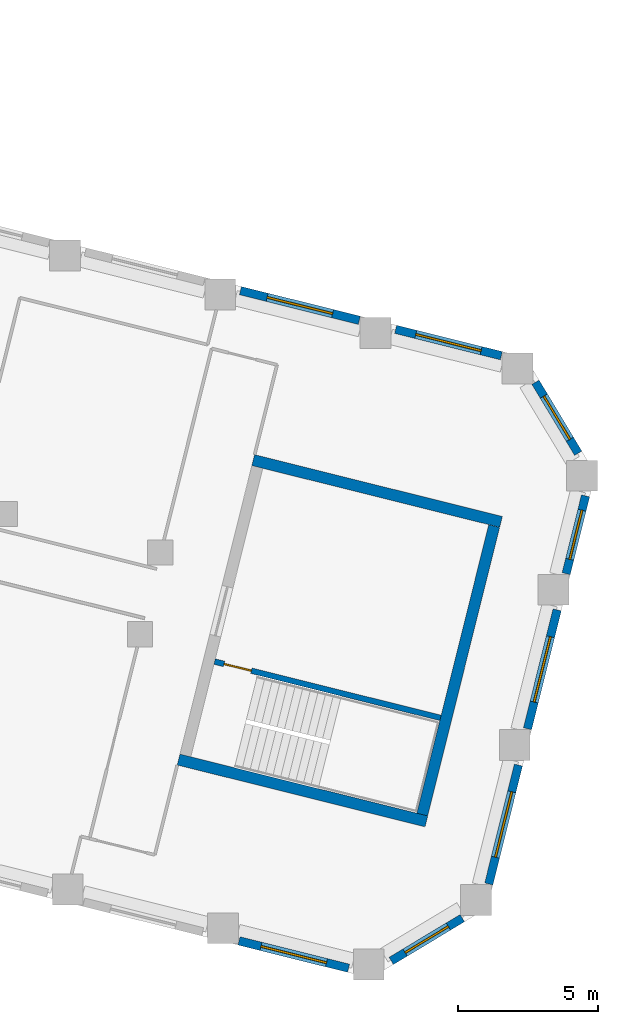
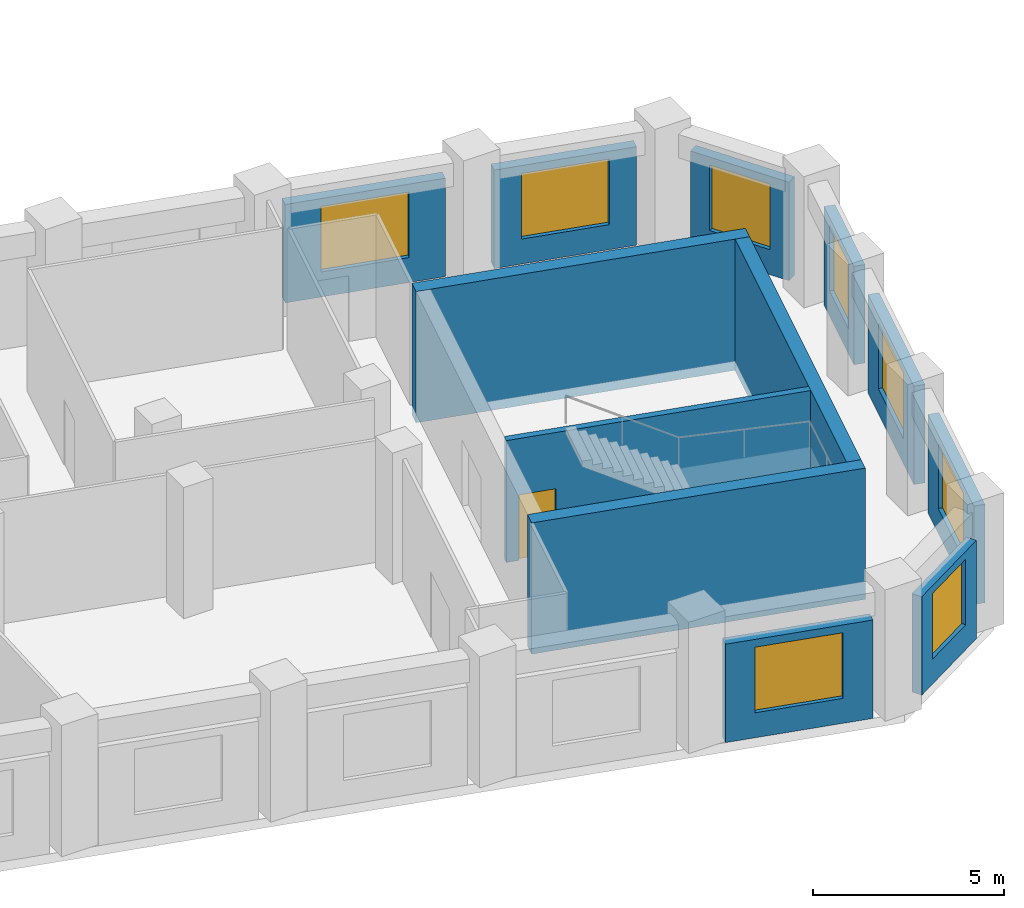
# One storey, part 7 of 10: 12 walls, 8 windows, 1 door, 9 openings.
"""IFC4 building model written with IfcOpenShell, lengths in metres."""

from ifc_helpers import new_model, si_unit, direction, frame, frame_2d, origin, place, context, subcontext, project, spatial, rectangle, extrude, material, layer, layer_set, type_object, element, fill, save


model = new_model("IFC4")

# Units and contexts
model_context = context("Model", 3, precision=1e-05, world=origin(), true_north=direction((0.0, 1.0)))
body_context = subcontext(model_context, "Body", "Model", "MODEL_VIEW")
ifc_project = project(units=[si_unit("LENGTHUNIT", "METRE"), si_unit("AREAUNIT", "SQUARE_METRE"), si_unit("VOLUMEUNIT", "CUBIC_METRE"), si_unit("PLANEANGLEUNIT", "RADIAN"), si_unit("MASSUNIT", "GRAM", prefix="KILO")], contexts=[model_context])

# Site, building, storey
site_placement = place(None, origin())
site = spatial("IfcSite", under=ifc_project, at=site_placement, CompositionType="ELEMENT")
building_placement = place(site_placement, origin())
building = spatial("IfcBuilding", under=site, at=building_placement, Name="Meshkara Civic Tower", CompositionType="ELEMENT")
storey_placement = place(building_placement, frame((0.0, 0.0, 250.800048828125)))
storey = spatial("IfcBuildingStorey", under=building, at=storey_placement, Name="L57", CompositionType="ELEMENT", Elevation=250.800048828125)

# Wall, opening, window
ifc_material_1 = material(Name="Insulated infill panel with bronze anodised aluminium cladding", Category="aluminium")
ifc_layer_1 = layer(ifc_material_1, 0.300048828125)
ifc_layer_set_1 = layer_set([ifc_layer_1], Name="EXTERNAL INFILL WALL 300")
wall_type_1 = type_object("IfcWallType", Name="EXTERNAL INFILL WALL 300", PredefinedType="SOLIDWALL", material=ifc_layer_set_1)
wall_1_placement = place(storey_placement, frame((71.02001953125, 5.635986328125, 0.0), z_axis=(0.0, 0.0, 1.0), x_axis=(-0.970297701374, 0.241913973777, 0.0)))
wall_1 = element("IfcWall", 1, at=wall_1_placement, inside=storey, type_object=wall_type_1, Name="External wall", PredefinedType="SOLIDWALL", context=body_context, shape_type="SweptSolid", body=[
    extrude(rectangle(XDim=3.88134765625, YDim=0.300048828125, at=frame_2d((1.940673828125, 0.0))), origin(), (0.0, 0.0, 1.0), 3.14990234375),
])
opening_1_placement = place(wall_1_placement, frame((0.740966796875, 0.0, 0.800048828125)))
opening_1 = element("IfcOpeningElement", 2, at=opening_1_placement, cuts=wall_1, Name="Opening W7", PredefinedType="OPENING", context=body_context, shape_type="SweptSolid", body=[
    extrude(rectangle(XDim=2.39990234375, YDim=2.10009765625, at=frame_2d((1.199951171875, 1.050048828125))), frame((0.0, 0.159912109375, 0.0), z_axis=(0.0, -1.0, 0.0), x_axis=(1.0, 0.0, 0.0)), (0.0, 0.0, 1.0), 0.320068359375),
])
ifc_material_2 = material(Name="Tinted double glazing", Category="glass")
window_type_1 = type_object("IfcWindowType", Name="WINDOW 2400x2100", PartitioningType="DOUBLE_PANEL_VERTICAL", PredefinedType="WINDOW", material=ifc_material_2)
window_1_placement = place(opening_1_placement, origin())
window_1 = element("IfcWindow", 3, at=window_1_placement, inside=storey, type_object=window_type_1, Name="Window", OverallHeight=2.10009765625, OverallWidth=2.39990234375, PartitioningType="DOUBLE_PANEL_VERTICAL", PredefinedType="WINDOW", context=body_context, shape_type="SweptSolid", body=[
    extrude(rectangle(XDim=2.39990234375, YDim=2.10009765625, at=frame_2d((1.199951171875, 1.050048828125))), frame((0.0, 0.030029296875, 0.0), z_axis=(0.0, -1.0, 0.0), x_axis=(1.0, 0.0, 0.0)), (0.0, 0.0, 1.0), 0.06005859375),
])
fill(opening_1, window_1)

wall_2_placement = place(storey_placement, frame((65.9599609375, 6.89794921875, 0.0), z_axis=(0.0, 0.0, 1.0), x_axis=(-0.970309996763, 0.241864652607, 0.0)))
wall_2 = element("IfcWall", 4, at=wall_2_placement, inside=storey, type_object=wall_type_1, Name="External wall", PredefinedType="SOLIDWALL", context=body_context, shape_type="SweptSolid", body=[
    extrude(rectangle(XDim=4.36669921875, YDim=0.300048828125, at=frame_2d((2.183349609375, 0.0))), origin(), (0.0, 0.0, 1.0), 3.14990234375),
])
opening_2_placement = place(wall_2_placement, frame((0.98291015625, 0.0, 0.800048828125)))
opening_2 = element("IfcOpeningElement", 5, at=opening_2_placement, cuts=wall_2, Name="Opening W7", PredefinedType="OPENING", context=body_context, shape_type="SweptSolid", body=[
    extrude(rectangle(XDim=2.39990234375, YDim=2.10009765625, at=frame_2d((1.199951171875, 1.050048828125))), frame((0.0, 0.159912109375, 0.0), z_axis=(0.0, -1.0, 0.0), x_axis=(1.0, 0.0, 0.0)), (0.0, 0.0, 1.0), 0.320068359375),
])
window_2_placement = place(opening_2_placement, origin())
window_2 = element("IfcWindow", 6, at=window_2_placement, inside=storey, type_object=window_type_1, Name="Window", OverallHeight=2.10009765625, OverallWidth=2.39990234375, PartitioningType="DOUBLE_PANEL_VERTICAL", PredefinedType="WINDOW", context=body_context, shape_type="SweptSolid", body=[
    extrude(rectangle(XDim=2.39990234375, YDim=2.10009765625, at=frame_2d((1.199951171875, 1.050048828125))), frame((0.0, 0.030029296875, 0.0), z_axis=(0.0, -1.0, 0.0), x_axis=(1.0, 0.0, 0.0)), (0.0, 0.0, 1.0), 0.06005859375),
])
fill(opening_2, window_2)

wall_3_placement = place(storey_placement, frame((61.6708984375, -15.220947265625, 0.0), z_axis=(0.0, 0.0, 1.0), x_axis=(0.97026726112, -0.242036034503, 0.0)))
wall_3 = element("IfcWall", 7, at=wall_3_placement, inside=storey, type_object=wall_type_1, Name="External wall", PredefinedType="SOLIDWALL", context=body_context, shape_type="SweptSolid", body=[
    extrude(rectangle(XDim=4.024658203125, YDim=0.300048828125, at=frame_2d((2.01220703125, 0.0))), origin(), (0.0, 0.0, 1.0), 3.14990234375),
])
opening_3_placement = place(wall_3_placement, frame((0.81201171875, 0.0, 0.800048828125)))
opening_3 = element("IfcOpeningElement", 8, at=opening_3_placement, cuts=wall_3, Name="Opening W7", PredefinedType="OPENING", context=body_context, shape_type="SweptSolid", body=[
    extrude(rectangle(XDim=2.39990234375, YDim=2.10009765625, at=frame_2d((1.199951171875, 1.050048828125))), frame((0.0, 0.159912109375, 0.0), z_axis=(0.0, -1.0, 0.0), x_axis=(1.0, 0.0, 0.0)), (0.0, 0.0, 1.0), 0.320068359375),
])
window_3_placement = place(opening_3_placement, origin())
window_3 = element("IfcWindow", 9, at=window_3_placement, inside=storey, type_object=window_type_1, Name="Window", OverallHeight=2.10009765625, OverallWidth=2.39990234375, PartitioningType="DOUBLE_PANEL_VERTICAL", PredefinedType="WINDOW", context=body_context, shape_type="SweptSolid", body=[
    extrude(rectangle(XDim=2.39990234375, YDim=2.10009765625, at=frame_2d((1.199951171875, 1.050048828125))), frame((0.0, 0.030029296875, 0.0), z_axis=(0.0, -1.0, 0.0), x_axis=(1.0, 0.0, 0.0)), (0.0, 0.0, 1.0), 0.06005859375),
])
fill(opening_3, window_3)

wall_4_placement = place(storey_placement, frame((67.097900390625, -15.93408203125, 0.0), z_axis=(0.0, 0.0, 1.0), x_axis=(0.857077006791, 0.515188319384, 0.0)))
wall_4 = element("IfcWall", 10, at=wall_4_placement, inside=storey, type_object=wall_type_1, Name="External wall", PredefinedType="SOLIDWALL", context=body_context, shape_type="SweptSolid", body=[
    extrude(rectangle(XDim=2.9541015625, YDim=0.300048828125, at=frame_2d((1.47705078125, 0.0))), origin(), (0.0, 0.0, 1.0), 3.14990234375),
])
opening_4_placement = place(wall_4_placement, frame((0.576904296875, 0.0, 0.800048828125)))
opening_4 = element("IfcOpeningElement", 11, at=opening_4_placement, cuts=wall_4, Name="Opening W9", PredefinedType="OPENING", context=body_context, shape_type="SweptSolid", body=[
    extrude(rectangle(XDim=1.800048828125, YDim=2.10009765625, at=frame_2d((0.89990234375, 1.050048828125))), frame((0.0, 0.159912109375, 0.0), z_axis=(0.0, -1.0, 0.0), x_axis=(1.0, 0.0, 0.0)), (0.0, 0.0, 1.0), 0.320068359375),
])
ifc_material_3 = material(Name="Tinted double glazing", Category="glass")
window_type_2 = type_object("IfcWindowType", Name="WINDOW 1800x2100", PartitioningType="DOUBLE_PANEL_VERTICAL", PredefinedType="WINDOW", material=ifc_material_3)
window_4_placement = place(opening_4_placement, origin())
window_4 = element("IfcWindow", 12, at=window_4_placement, inside=storey, type_object=window_type_2, Name="Window", OverallHeight=2.10009765625, OverallWidth=1.800048828125, PartitioningType="DOUBLE_PANEL_VERTICAL", PredefinedType="WINDOW", context=body_context, shape_type="SweptSolid", body=[
    extrude(rectangle(XDim=1.800048828125, YDim=2.10009765625, at=frame_2d((0.89990234375, 1.050048828125))), frame((0.0, 0.030029296875, 0.0), z_axis=(0.0, -1.0, 0.0), x_axis=(1.0, 0.0, 0.0)), (0.0, 0.0, 1.0), 0.06005859375),
])
fill(opening_4, window_4)

wall_5_placement = place(storey_placement, frame((70.574951171875, -13.19189453125, 0.0), z_axis=(0.0, 0.0, 1.0), x_axis=(0.241877774353, 0.970306725873, 0.0)))
wall_5 = element("IfcWall", 13, at=wall_5_placement, inside=storey, type_object=wall_type_1, Name="External wall", PredefinedType="SOLIDWALL", context=body_context, shape_type="SweptSolid", body=[
    extrude(rectangle(XDim=4.366455078125, YDim=0.300048828125, at=frame_2d((2.18310546875, 0.0))), origin(), (0.0, 0.0, 1.0), 3.14990234375),
])
opening_5_placement = place(wall_5_placement, frame((0.98291015625, 0.0, 0.800048828125)))
opening_5 = element("IfcOpeningElement", 14, at=opening_5_placement, cuts=wall_5, Name="Opening W7", PredefinedType="OPENING", context=body_context, shape_type="SweptSolid", body=[
    extrude(rectangle(XDim=2.39990234375, YDim=2.10009765625, at=frame_2d((1.199951171875, 1.050048828125))), frame((0.0, 0.159912109375, 0.0), z_axis=(0.0, -1.0, 0.0), x_axis=(1.0, 0.0, 0.0)), (0.0, 0.0, 1.0), 0.320068359375),
])
window_5_placement = place(opening_5_placement, origin())
window_5 = element("IfcWindow", 15, at=window_5_placement, inside=storey, type_object=window_type_1, Name="Window", OverallHeight=2.10009765625, OverallWidth=2.39990234375, PartitioningType="DOUBLE_PANEL_VERTICAL", PredefinedType="WINDOW", context=body_context, shape_type="SweptSolid", body=[
    extrude(rectangle(XDim=2.39990234375, YDim=2.10009765625, at=frame_2d((1.199951171875, 1.050048828125))), frame((0.0, 0.030029296875, 0.0), z_axis=(0.0, -1.0, 0.0), x_axis=(1.0, 0.0, 0.0)), (0.0, 0.0, 1.0), 0.06005859375),
])
fill(opening_5, window_5)

wall_6_placement = place(storey_placement, frame((71.9541015625, -7.660888671875, 0.0), z_axis=(0.0, 0.0, 1.0), x_axis=(0.241877622649, 0.97030676369, 0.0)))
wall_6 = element("IfcWall", 16, at=wall_6_placement, inside=storey, type_object=wall_type_1, Name="External wall", PredefinedType="SOLIDWALL", context=body_context, shape_type="SweptSolid", body=[
    extrude(rectangle(XDim=4.365478515625, YDim=0.300048828125, at=frame_2d((2.1826171875, 0.0))), origin(), (0.0, 0.0, 1.0), 3.14990234375),
])
opening_6_placement = place(wall_6_placement, frame((0.98291015625, 0.0, 0.800048828125)))
opening_6 = element("IfcOpeningElement", 17, at=opening_6_placement, cuts=wall_6, Name="Opening W7", PredefinedType="OPENING", context=body_context, shape_type="SweptSolid", body=[
    extrude(rectangle(XDim=2.39990234375, YDim=2.10009765625, at=frame_2d((1.199951171875, 1.050048828125))), frame((0.0, 0.159912109375, 0.0), z_axis=(0.0, -1.0, 0.0), x_axis=(1.0, 0.0, 0.0)), (0.0, 0.0, 1.0), 0.320068359375),
])
window_6_placement = place(opening_6_placement, origin())
window_6 = element("IfcWindow", 18, at=window_6_placement, inside=storey, type_object=window_type_1, Name="Window", OverallHeight=2.10009765625, OverallWidth=2.39990234375, PartitioningType="DOUBLE_PANEL_VERTICAL", PredefinedType="WINDOW", context=body_context, shape_type="SweptSolid", body=[
    extrude(rectangle(XDim=2.39990234375, YDim=2.10009765625, at=frame_2d((1.199951171875, 1.050048828125))), frame((0.0, 0.030029296875, 0.0), z_axis=(0.0, -1.0, 0.0), x_axis=(1.0, 0.0, 0.0)), (0.0, 0.0, 1.0), 0.06005859375),
])
fill(opening_6, window_6)

wall_7_placement = place(storey_placement, frame((73.3330078125, -2.131103515625, 0.0), z_axis=(0.0, 0.0, 1.0), x_axis=(0.241770612026, 0.970333432981, 0.0)))
wall_7 = element("IfcWall", 19, at=wall_7_placement, inside=storey, type_object=wall_type_1, Name="External wall", PredefinedType="SOLIDWALL", context=body_context, shape_type="SweptSolid", body=[
    extrude(rectangle(XDim=2.853759765625, YDim=0.300048828125, at=frame_2d((1.4267578125, 0.0))), origin(), (0.0, 0.0, 1.0), 3.14990234375),
])
opening_7_placement = place(wall_7_placement, frame((0.527099609375, 0.0, 0.800048828125)))
opening_7 = element("IfcOpeningElement", 20, at=opening_7_placement, cuts=wall_7, Name="Opening W9", PredefinedType="OPENING", context=body_context, shape_type="SweptSolid", body=[
    extrude(rectangle(XDim=1.800048828125, YDim=2.10009765625, at=frame_2d((0.89990234375, 1.050048828125))), frame((0.0, 0.159912109375, 0.0), z_axis=(0.0, -1.0, 0.0), x_axis=(1.0, 0.0, 0.0)), (0.0, 0.0, 1.0), 0.320068359375),
])
window_7_placement = place(opening_7_placement, origin())
window_7 = element("IfcWindow", 21, at=window_7_placement, inside=storey, type_object=window_type_2, Name="Window", OverallHeight=2.10009765625, OverallWidth=1.800048828125, PartitioningType="DOUBLE_PANEL_VERTICAL", PredefinedType="WINDOW", context=body_context, shape_type="SweptSolid", body=[
    extrude(rectangle(XDim=1.800048828125, YDim=2.10009765625, at=frame_2d((0.89990234375, 1.050048828125))), frame((0.0, 0.030029296875, 0.0), z_axis=(0.0, -1.0, 0.0), x_axis=(1.0, 0.0, 0.0)), (0.0, 0.0, 1.0), 0.06005859375),
])
fill(opening_7, window_7)

wall_8_placement = place(storey_placement, frame((73.761962890625, 2.159912109375, 0.0), z_axis=(0.0, 0.0, 1.0), x_axis=(-0.515334317037, 0.856989230786, 0.0)))
wall_8 = element("IfcWall", 22, at=wall_8_placement, inside=storey, type_object=wall_type_1, Name="External wall", PredefinedType="SOLIDWALL", context=body_context, shape_type="SweptSolid", body=[
    extrude(rectangle(XDim=2.953369140625, YDim=0.300048828125, at=frame_2d((1.4765625, 0.0))), origin(), (0.0, 0.0, 1.0), 3.14990234375),
])
opening_8_placement = place(wall_8_placement, frame((0.576904296875, 0.0, 0.800048828125)))
opening_8 = element("IfcOpeningElement", 23, at=opening_8_placement, cuts=wall_8, Name="Opening W9", PredefinedType="OPENING", context=body_context, shape_type="SweptSolid", body=[
    extrude(rectangle(XDim=1.800048828125, YDim=2.10009765625, at=frame_2d((0.89990234375, 1.050048828125))), frame((0.0, 0.159912109375, 0.0), z_axis=(0.0, -1.0, 0.0), x_axis=(1.0, 0.0, 0.0)), (0.0, 0.0, 1.0), 0.320068359375),
])
window_8_placement = place(opening_8_placement, origin())
window_8 = element("IfcWindow", 24, at=window_8_placement, inside=storey, type_object=window_type_2, Name="Window", OverallHeight=2.10009765625, OverallWidth=1.800048828125, PartitioningType="DOUBLE_PANEL_VERTICAL", PredefinedType="WINDOW", context=body_context, shape_type="SweptSolid", body=[
    extrude(rectangle(XDim=1.800048828125, YDim=2.10009765625, at=frame_2d((0.89990234375, 1.050048828125))), frame((0.0, 0.030029296875, 0.0), z_axis=(0.0, -1.0, 0.0), x_axis=(1.0, 0.0, 0.0)), (0.0, 0.0, 1.0), 0.06005859375),
])
fill(opening_8, window_8)

# Walls
ifc_material_4 = material(Name="Concrete C60", Category="concrete")
ifc_layer_2 = layer(ifc_material_4, 0.39990234375)
ifc_layer_set_2 = layer_set([ifc_layer_2], Name="End core ring wall 400 C60")
wall_type_2 = type_object("IfcWallType", Name="End core ring wall 400 C60", PredefinedType="SHEAR", material=ifc_layer_set_2)
wall_9_placement = place(storey_placement, frame((59.51904296875, -8.759033203125, -0.300048828125), z_axis=(0.0, 0.0, 1.0), x_axis=(0.970287509026, -0.241954850805, 0.0)))
element("IfcWall", 25, at=wall_9_placement, inside=storey, type_object=wall_type_2, Name="L57-C028", PredefinedType="SHEAR", context=body_context, shape_type="SweptSolid", body=[
    extrude(rectangle(XDim=9.1005859375, YDim=0.39990234375, at=frame_2d((4.55029296875, 0.0))), origin(), (0.0, 0.0, 1.0), 4.199951171875),
])
wall_10_placement = place(storey_placement, frame((62.179931640625, 1.9140625, -0.300048828125), z_axis=(0.0, 0.0, 1.0), x_axis=(0.970306400786, -0.241879078453, 0.0)))
element("IfcWall", 26, at=wall_10_placement, inside=storey, type_object=wall_type_2, Name="L57-C029", PredefinedType="SHEAR", context=body_context, shape_type="SweptSolid", body=[
    extrude(rectangle(XDim=9.100341796875, YDim=0.39990234375, at=frame_2d((4.55029296875, 0.0))), origin(), (0.0, 0.0, 1.0), 4.199951171875),
])
wall_11_placement = place(storey_placement, frame((68.202880859375, -10.718017578125, -0.300048828125), z_axis=(0.0, 0.0, 1.0), x_axis=(0.241912337509, 0.970298109326, 0.0)))
element("IfcWall", 27, at=wall_11_placement, inside=storey, type_object=wall_type_2, Name="L57-C031", PredefinedType="SHEAR", context=body_context, shape_type="SweptSolid", body=[
    extrude(rectangle(XDim=10.599853515625, YDim=0.39990234375, at=frame_2d((5.2998046875, 0.0))), origin(), (0.0, 0.0, 1.0), 4.199951171875),
])

# Wall, opening, door
ifc_material_5 = material(Name="Concrete C40/50", Category="concrete")
ifc_layer_3 = layer(ifc_material_5, 0.199951171875)
ifc_layer_set_3 = layer_set([ifc_layer_3], Name="Stair enclosure wall 200 C40/50")
wall_type_3 = type_object("IfcWallType", Name="Stair enclosure wall 200 C40/50", PredefinedType="SOLIDWALL", material=ifc_layer_set_3)
wall_12_placement = place(storey_placement, frame((60.802001953125, -5.26611328125, 0.0), z_axis=(0.0, 0.0, 1.0), x_axis=(0.970303192681, -0.241891947516, 0.0)))
wall_12 = element("IfcWall", 28, at=wall_12_placement, inside=storey, type_object=wall_type_3, Name="L57-C032", PredefinedType="SOLIDWALL", context=body_context, shape_type="SweptSolid", body=[
    extrude(rectangle(XDim=8.300537109375, YDim=0.199951171875, at=frame_2d((4.150390625, 0.0))), origin(), (0.0, 0.0, 1.0), 3.89990234375),
])
opening_9_placement = place(wall_12_placement, frame((0.35009765625, 0.0, 0.0)))
opening_9 = element("IfcOpeningElement", 29, at=opening_9_placement, cuts=wall_12, Name="Opening L57-K201", PredefinedType="OPENING", context=body_context, shape_type="SweptSolid", body=[
    extrude(rectangle(XDim=1.0, YDim=2.10009765625, at=frame_2d((0.5, 1.050048828125))), frame((0.0, 0.10986328125, 0.0), z_axis=(0.0, -1.0, 0.0), x_axis=(1.0, 0.0, 0.0)), (0.0, 0.0, 1.0), 0.219970703125),
])
ifc_material_6 = material(Name="Fire-rated door leaf in steel frame", Category="steel")
door_type = type_object("IfcDoorType", Name="Stair door 1000 EI 120", OperationType="SINGLE_SWING_LEFT", PredefinedType="DOOR", material=ifc_material_6)
door_placement = place(opening_9_placement, origin())
door = element("IfcDoor", 30, at=door_placement, inside=storey, type_object=door_type, Name="L57-K201", OperationType="SINGLE_SWING_LEFT", OverallHeight=2.10009765625, OverallWidth=1.0, PredefinedType="DOOR", context=body_context, shape_type="SweptSolid", body=[
    extrude(rectangle(XDim=1.0, YDim=2.10009765625, at=frame_2d((0.5, 1.050048828125))), frame((0.0, 0.02490234375, 0.0), z_axis=(0.0, -1.0, 0.0), x_axis=(1.0, 0.0, 0.0)), (0.0, 0.0, 1.0), 0.050048828125),
])
fill(opening_9, door)

save(model, "model.ifc")
